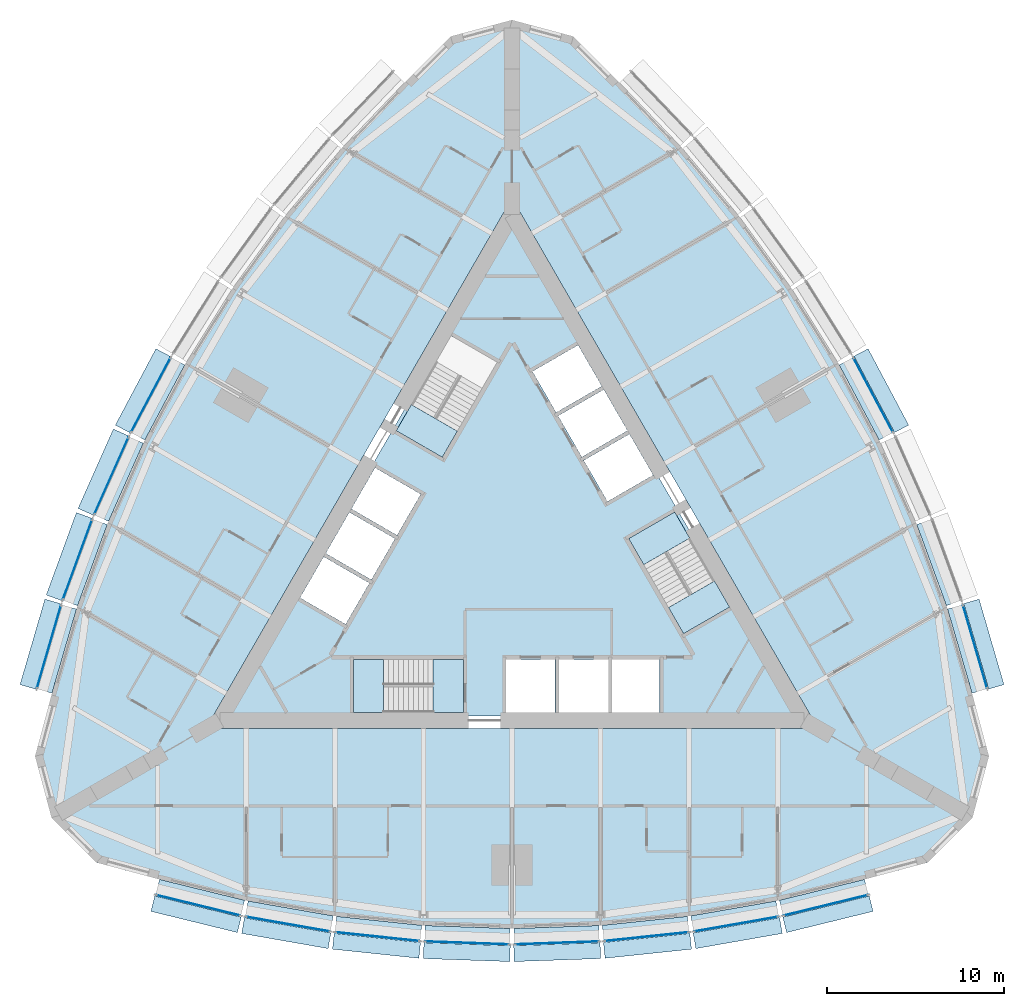
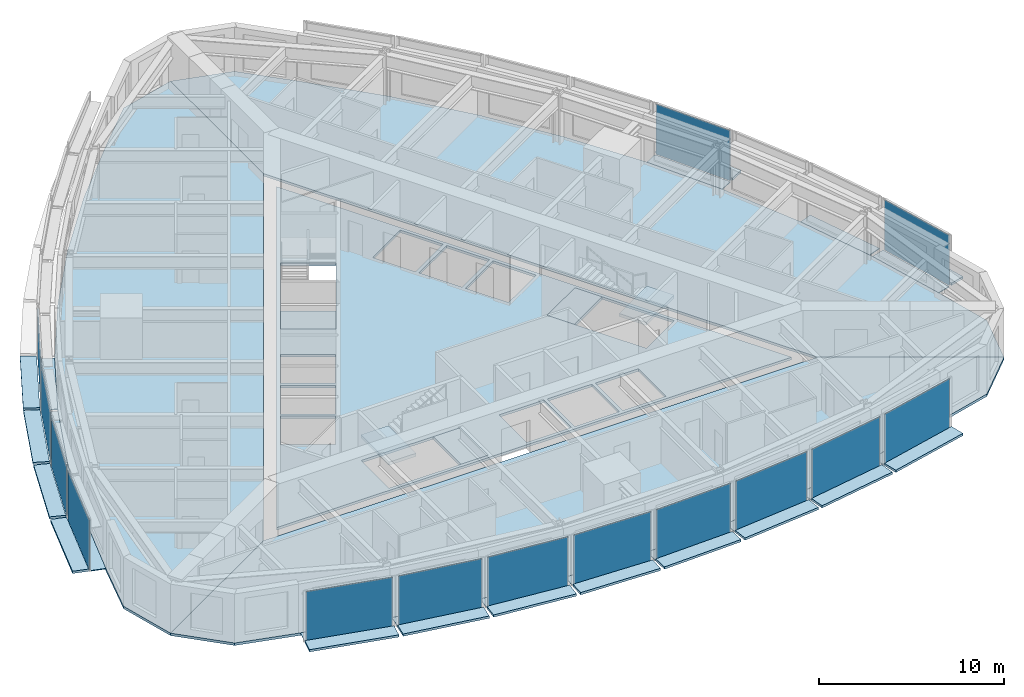
# One storey, part 6 of 14: 43 plates, 9 slabs, 17 elements without a shape of their own.
"""IFC4 building model written with IfcOpenShell, lengths in metres."""

from ifc_helpers import new_model, si_unit, direction, frame, origin, origin_2d, place, context, subcontext, project, spatial, polyline, rectangle, outline, extrude, material, layer, layer_set, type_object, element, aggregate, save


model = new_model("IFC4")

# Units and contexts
model_context = context("Model", 3, precision=1e-05, world=origin(), true_north=direction((0.0, 1.0)))
body_context = subcontext(model_context, "Body", "Model", "MODEL_VIEW")
ifc_project = project(units=[si_unit("LENGTHUNIT", "METRE"), si_unit("AREAUNIT", "SQUARE_METRE"), si_unit("VOLUMEUNIT", "CUBIC_METRE"), si_unit("PLANEANGLEUNIT", "RADIAN"), si_unit("MASSUNIT", "GRAM", prefix="KILO")], contexts=[model_context])

# Site, building, storey
site_placement = place(None, origin())
site = spatial("IfcSite", under=ifc_project, at=site_placement, CompositionType="ELEMENT")
building_placement = place(site_placement, origin())
building = spatial("IfcBuilding", under=site, at=building_placement, Name="Trikona Tower", CompositionType="ELEMENT")
storey_placement = place(building_placement, frame((0.0, 0.0, 162.300048828125)))
storey = spatial("IfcBuildingStorey", under=building, at=storey_placement, Name="L43", CompositionType="ELEMENT", Elevation=162.300048828125)

# Plates
ifc_material_1 = material(Name="Aluminium bar grating", Category="aluminium")
ifc_layer_1 = layer(ifc_material_1, 0.050048828125)
ifc_layer_set_1 = layer_set([ifc_layer_1], Name="Cavity catwalk grating")
plate_type_1 = type_object("IfcPlateType", Name="Cavity catwalk grating", PredefinedType="USERDEFINED", material=ifc_layer_set_1)
plate_1_placement = place(storey_placement, frame((-17.598876953125, -19.49072265625, -0.05029296875), z_axis=(0.0, 0.0, 1.0), x_axis=(0.971274411564, -0.237962218516, 0.0)))
element("IfcPlate", 1, at=plate_1_placement, inside=storey, type_object=plate_type_1, Name="Cavity catwalk L43-00", ObjectType="CATWALK GRATING", PredefinedType="USERDEFINED", context=body_context, shape_type="SweptSolid", body=[
    extrude(rectangle(XDim=4.947998046875, YDim=0.830078125, at=origin_2d()), origin(), (0.0, 0.0, 1.0), 0.050048828125),
])
plate_2_placement = place(storey_placement, frame((-12.571533203125, -20.54638671875, -0.05029296875), z_axis=(0.0, 0.0, 1.0), x_axis=(0.985030604067, -0.172379549401, 0.0)))
element("IfcPlate", 2, at=plate_2_placement, inside=storey, type_object=plate_type_1, Name="Cavity catwalk L43-01", ObjectType="CATWALK GRATING", PredefinedType="USERDEFINED", context=body_context, shape_type="SweptSolid", body=[
    extrude(rectangle(XDim=4.8759765625, YDim=0.830078125, at=origin_2d()), origin(), (0.0, 0.0, 1.0), 0.050048828125),
])
plate_3_placement = place(storey_placement, frame((-7.543212890625, -21.25048828125, -0.05029296875), z_axis=(0.0, 0.0, 1.0), x_axis=(0.994532653854, -0.104426052392, 0.0)))
element("IfcPlate", 3, at=plate_3_placement, inside=storey, type_object=plate_type_1, Name="Cavity catwalk L43-02", ObjectType="CATWALK GRATING", PredefinedType="USERDEFINED", context=body_context, shape_type="SweptSolid", body=[
    extrude(rectangle(XDim=4.827392578125, YDim=0.830078125, at=origin_2d()), origin(), (0.0, 0.0, 1.0), 0.050048828125),
])
for number, where, z_axis, x_axis, name in (
    (4, (-2.514404296875, -21.602294921875, -0.05029296875), (0.0, 0.0, 1.0), (0.999388082937, -0.034977988567, 0.0), "Cavity catwalk L43-03"),
    (5, (2.514404296875, -21.602294921875, -0.05029296875), (0.0, 0.0, 1.0), (0.999388082937, 0.034977988567, 0.0), "Cavity catwalk L43-04"),
):
    element("IfcPlate", number, at=place(storey_placement, frame(where, z_axis=z_axis, x_axis=x_axis)), inside=storey, type_object=plate_type_1, Name=name, ObjectType="CATWALK GRATING", PredefinedType="USERDEFINED", context=body_context, shape_type="SweptSolid", body=[
        extrude(rectangle(XDim=4.802978515625, YDim=0.830078125, at=origin_2d()), origin(), (0.0, 0.0, 1.0), 0.050048828125),
    ])
plate_4_placement = place(storey_placement, frame((7.543212890625, -21.25048828125, -0.05029296875), z_axis=(0.0, 0.0, 1.0), x_axis=(0.994532653854, 0.104426052392, 0.0)))
element("IfcPlate", 6, at=plate_4_placement, inside=storey, type_object=plate_type_1, Name="Cavity catwalk L43-05", ObjectType="CATWALK GRATING", PredefinedType="USERDEFINED", context=body_context, shape_type="SweptSolid", body=[
    extrude(rectangle(XDim=4.827392578125, YDim=0.830078125, at=origin_2d()), origin(), (0.0, 0.0, 1.0), 0.050048828125),
])
plate_5_placement = place(storey_placement, frame((12.571533203125, -20.54638671875, -0.05029296875), z_axis=(0.0, 0.0, 1.0), x_axis=(0.985030604067, 0.172379549401, 0.0)))
element("IfcPlate", 7, at=plate_5_placement, inside=storey, type_object=plate_type_1, Name="Cavity catwalk L43-06", ObjectType="CATWALK GRATING", PredefinedType="USERDEFINED", context=body_context, shape_type="SweptSolid", body=[
    extrude(rectangle(XDim=4.8759765625, YDim=0.830078125, at=origin_2d()), origin(), (0.0, 0.0, 1.0), 0.050048828125),
])
plate_6_placement = place(storey_placement, frame((17.598876953125, -19.49072265625, -0.05029296875), z_axis=(0.0, 0.0, 1.0), x_axis=(0.971274411564, 0.237962218516, 0.0)))
element("IfcPlate", 8, at=plate_6_placement, inside=storey, type_object=plate_type_1, Name="Cavity catwalk L43-07", ObjectType="CATWALK GRATING", PredefinedType="USERDEFINED", context=body_context, shape_type="SweptSolid", body=[
    extrude(rectangle(XDim=4.947998046875, YDim=0.830078125, at=origin_2d()), origin(), (0.0, 0.0, 1.0), 0.050048828125),
])
plate_7_placement = place(storey_placement, frame((25.678955078125, -5.49560546875, -0.05029296875), z_axis=(0.0, 0.0, 1.0), x_axis=(-0.279554203664, 0.960129911634, 0.0)))
element("IfcPlate", 9, at=plate_7_placement, inside=storey, type_object=plate_type_1, Name="Cavity catwalk L43-12", ObjectType="CATWALK GRATING", PredefinedType="USERDEFINED", context=body_context, shape_type="SweptSolid", body=[
    extrude(rectangle(XDim=4.94775390625, YDim=0.830078125, at=origin_2d()), origin(), (0.0, 0.0, 1.0), 0.050048828125),
])
plate_8_placement = place(storey_placement, frame((24.07958984375, -0.614013671875, -0.05029296875), z_axis=(0.0, 0.0, 1.0), x_axis=(-0.343220397324, 0.939254895575, 0.0)))
element("IfcPlate", 10, at=plate_8_placement, inside=storey, type_object=plate_type_1, Name="Cavity catwalk L43-13", ObjectType="CATWALK GRATING", PredefinedType="USERDEFINED", context=body_context, shape_type="SweptSolid", body=[
    extrude(rectangle(XDim=4.8759765625, YDim=0.830078125, at=origin_2d()), origin(), (0.0, 0.0, 1.0), 0.050048828125),
])
for number, where, z_axis, x_axis, name in (
    (11, (19.965576171875, 8.62353515625, -0.05029296875), (0.0, 0.0, 1.0), (-0.469397591494, 0.882986920118, 0.0), "Cavity catwalk L43-15"),
    (12, (-19.965576171875, 8.62353515625, -0.05029296875), (0.0, 0.0, 1.0), (-0.469397591494, -0.882986920118, 0.0), "Cavity catwalk L43-28"),
):
    element("IfcPlate", number, at=place(storey_placement, frame(where, z_axis=z_axis, x_axis=x_axis)), inside=storey, type_object=plate_type_1, Name=name, ObjectType="CATWALK GRATING", PredefinedType="USERDEFINED", context=body_context, shape_type="SweptSolid", body=[
        extrude(rectangle(XDim=4.802978515625, YDim=0.830078125, at=origin_2d()), origin(), (0.0, 0.0, 1.0), 0.050048828125),
    ])
plate_9_placement = place(storey_placement, frame((-22.175048828125, 4.092529296875, -0.05029296875), z_axis=(0.0, 0.0, 1.0), x_axis=(-0.406843467615, -0.913497888809, 0.0)))
element("IfcPlate", 13, at=plate_9_placement, inside=storey, type_object=plate_type_1, Name="Cavity catwalk L43-29", ObjectType="CATWALK GRATING", PredefinedType="USERDEFINED", context=body_context, shape_type="SweptSolid", body=[
    extrude(rectangle(XDim=4.827392578125, YDim=0.830078125, at=origin_2d()), origin(), (0.0, 0.0, 1.0), 0.050048828125),
])
plate_10_placement = place(storey_placement, frame((-24.07958984375, -0.614013671875, -0.05029296875), z_axis=(0.0, 0.0, 1.0), x_axis=(-0.343220397324, -0.939254895575, 0.0)))
element("IfcPlate", 14, at=plate_10_placement, inside=storey, type_object=plate_type_1, Name="Cavity catwalk L43-30", ObjectType="CATWALK GRATING", PredefinedType="USERDEFINED", context=body_context, shape_type="SweptSolid", body=[
    extrude(rectangle(XDim=4.8759765625, YDim=0.830078125, at=origin_2d()), origin(), (0.0, 0.0, 1.0), 0.050048828125),
])
plate_11_placement = place(storey_placement, frame((-25.678955078125, -5.49560546875, -0.05029296875), z_axis=(0.0, 0.0, 1.0), x_axis=(-0.279554203664, -0.960129911634, 0.0)))
element("IfcPlate", 15, at=plate_11_placement, inside=storey, type_object=plate_type_1, Name="Cavity catwalk L43-31", ObjectType="CATWALK GRATING", PredefinedType="USERDEFINED", context=body_context, shape_type="SweptSolid", body=[
    extrude(rectangle(XDim=4.94775390625, YDim=0.830078125, at=origin_2d()), origin(), (0.0, 0.0, 1.0), 0.050048828125),
])

# Slabs
ifc_material_2 = material(Name="Concrete f'c 5000 psi lightweight on composite steel deck", Category="concrete")
ifc_layer_2 = layer(ifc_material_2, 0.1650390625)
ifc_layer_set_2 = layer_set([ifc_layer_2], Name="Composite floor slab 165")
slab_type_1 = type_object("IfcSlabType", Name="Composite floor slab 165", PredefinedType="FLOOR", material=ifc_layer_set_2)
slab_1_placement = place(storey_placement, frame((0.0, 0.0, -0.1650390625)))
element("IfcSlab", 16, at=slab_1_placement, inside=storey, type_object=slab_type_1, Name="Floor slab L43 core", PredefinedType="FLOOR", context=body_context, shape_type="SweptSolid", body=[
    extrude(outline(polyline([(-16.06689453125, -9.2763671875), (16.06689453125, -9.2763671875), (0.0, 18.552490234375), (-16.06689453125, -9.2763671875)]), holes=[polyline([(12.285400390625, -3.126220703125), (9.185302734375, 2.2431640625), (6.587158203125, 0.7431640625), (9.687255859375, -4.626220703125), (12.285400390625, -3.126220703125)]), polyline([(8.340087890625, -9.06640625), (8.340087890625, -6.086181640625), (5.659912109375, -6.086181640625), (5.659912109375, -9.06640625), (8.340087890625, -9.06640625)]), polyline([(5.390869140625, 2.835205078125), (7.9716796875, 4.3251953125), (6.631591796875, 6.646240234375), (4.05078125, 5.15625), (5.390869140625, 2.835205078125)]), polyline([(2.600830078125, 7.667724609375), (3.94091796875, 5.3466796875), (6.521484375, 6.8369140625), (5.181640625, 9.15771484375), (2.600830078125, 7.667724609375)]), polyline([(5.43994140625, -6.086181640625), (2.659912109375, -6.086181640625), (2.659912109375, -9.06640625), (5.43994140625, -9.06640625), (5.43994140625, -6.086181640625)]), polyline([(3.731689453125, 11.669189453125), (1.15087890625, 10.17919921875), (2.490966796875, 7.858154296875), (5.071533203125, 9.34814453125), (3.731689453125, 11.669189453125)]), polyline([(-0.340087890625, -6.086181640625), (-0.340087890625, -9.06640625), (2.43994140625, -9.06640625), (2.43994140625, -6.086181640625), (-0.340087890625, -6.086181640625)]), polyline([(-3.435302734375, 12.202392578125), (-6.535400390625, 6.8330078125), (-3.937255859375, 5.3330078125), (-0.837158203125, 10.702392578125), (-3.435302734375, 12.202392578125)]), polyline([(-8.949951171875, -9.076416015625), (-2.75, -9.076416015625), (-2.75, -6.076416015625), (-8.949951171875, -6.076416015625), (-8.949951171875, -9.076416015625)]), polyline([(-5.15087890625, 3.2509765625), (-7.731689453125, 4.740966796875), (-9.071533203125, 2.419921875), (-6.490966796875, 0.929931640625), (-5.15087890625, 3.2509765625)]), polyline([(-7.94091796875, -1.581298828125), (-6.600830078125, 0.739501953125), (-9.181640625, 2.2294921875), (-10.521484375, -0.09130859375), (-7.94091796875, -1.581298828125)]), polyline([(-11.9716796875, -2.602783203125), (-9.390869140625, -4.093017578125), (-8.05078125, -1.77197265625), (-10.631591796875, -0.281982421875), (-11.9716796875, -2.602783203125)])]), origin(), (0.0, 0.0, 1.0), 0.1650390625),
])
slab_2_placement = place(storey_placement, frame((0.0, 0.0, -0.1650390625)))
element("IfcSlab", 17, at=slab_2_placement, inside=storey, type_object=slab_type_1, Name="Floor slab L43 south", PredefinedType="FLOOR", context=body_context, shape_type="SweptSolid", body=[
    extrude(outline(polyline([(23.464111328125, -17.547119140625), (26.0, -15.010986328125), (17.279296875, -9.976318359375), (-17.279296875, -9.976318359375), (-26.0, -15.010986328125), (-23.464111328125, -17.547119140625), (-20.0, -18.47509765625), (-15.0, -19.7001953125), (-10.0, -20.5751953125), (-5.0, -21.10009765625), (0.0, -21.275146484375), (5.0, -21.10009765625), (10.0, -20.5751953125), (15.0, -19.7001953125), (20.0, -18.47509765625), (23.464111328125, -17.547119140625)])), origin(), (0.0, 0.0, 1.0), 0.1650390625),
])
slab_3_placement = place(storey_placement, frame((0.0, 0.0, -0.1650390625)))
element("IfcSlab", 18, at=slab_3_placement, inside=storey, type_object=slab_type_1, Name="Floor slab L43 north-east", PredefinedType="FLOOR", context=body_context, shape_type="SweptSolid", body=[
    extrude(outline(polyline([(3.464111328125, 29.093994140625), (0.0, 30.022216796875), (0.0, 19.95263671875), (17.279296875, -9.976318359375), (26.0, -15.010986328125), (26.92822265625, -11.547119140625), (26.0, -8.0830078125), (24.560791015625, -3.140380859375), (22.818603515625, 1.62744140625), (20.773193359375, 6.219970703125), (18.4248046875, 10.6376953125), (15.773193359375, 14.880126953125), (12.818603515625, 18.947998046875), (9.560791015625, 22.840576171875), (6.0, 26.55810546875), (3.464111328125, 29.093994140625)])), origin(), (0.0, 0.0, 1.0), 0.1650390625),
])
slab_4_placement = place(storey_placement, frame((0.0, 0.0, -0.1650390625)))
element("IfcSlab", 19, at=slab_4_placement, inside=storey, type_object=slab_type_1, Name="Floor slab L43 north-west", PredefinedType="FLOOR", context=body_context, shape_type="SweptSolid", body=[
    extrude(outline(polyline([(0.0, 19.95263671875), (0.0, 30.022216796875), (-3.464111328125, 29.093994140625), (-6.0, 26.55810546875), (-9.560791015625, 22.840576171875), (-12.818603515625, 18.947998046875), (-15.773193359375, 14.880126953125), (-18.4248046875, 10.6376953125), (-20.773193359375, 6.219970703125), (-22.818603515625, 1.62744140625), (-24.560791015625, -3.140380859375), (-26.0, -8.0830078125), (-26.92822265625, -11.547119140625), (-26.0, -15.010986328125), (-17.279296875, -9.976318359375), (0.0, 19.95263671875)])), origin(), (0.0, 0.0, 1.0), 0.1650390625),
])

# Curtain wall, plate
ifc_material_3 = material(Name="Aluminium curtain wall system", Category="aluminium")
curtain_wall_type = type_object("IfcCurtainWallType", Name="Curtain wall DS2", PredefinedType="NOTDEFINED", material=ifc_material_3)
curtain_wall_1_placement = place(storey_placement, origin())
curtain_wall_1 = element("IfcCurtainWall", 20, at=curtain_wall_1_placement, inside=storey, type_object=curtain_wall_type, Name="Curtain wall DS2 L43", PredefinedType="NOTDEFINED")
ifc_material_4 = material(Name="Laminated clear glass", Category="glass")
ifc_layer_3 = layer(ifc_material_4, 0.028076171875)
ifc_layer_set_3 = layer_set([ifc_layer_3], Name="Glass panel DS2")
plate_type_2 = type_object("IfcPlateType", Name="Glass panel DS2", PredefinedType="CURTAIN_PANEL", material=ifc_layer_set_3)
plate_12_placement = place(storey_placement, frame((-17.714111328125, -19.9619140625, 0.0), z_axis=(0.0, 0.0, 1.0), x_axis=(0.971272455026, -0.237970204243, 0.0)))
plate_12 = element("IfcPlate", 21, at=plate_12_placement, type_object=plate_type_2, Name="CW-DS2 panel 1.1", PredefinedType="CURTAIN_PANEL", context=body_context, shape_type="SweptSolid", body=[
    extrude(rectangle(XDim=4.867919921875, YDim=0.028076171875, at=origin_2d()), origin(), (0.0, 0.0, 1.0), 3.320068359375),
])
aggregate(curtain_wall_1, [plate_12])

curtain_wall_2_placement = place(storey_placement, origin())
curtain_wall_2 = element("IfcCurtainWall", 22, at=curtain_wall_2_placement, inside=storey, type_object=curtain_wall_type, Name="Curtain wall DS2 L43", PredefinedType="NOTDEFINED")
plate_13_placement = place(storey_placement, frame((-12.655029296875, -21.024169921875, 0.0), z_axis=(0.0, 0.0, 1.0), x_axis=(0.985030981074, -0.17237739505, 0.0)))
plate_13 = element("IfcPlate", 23, at=plate_13_placement, type_object=plate_type_2, Name="CW-DS2 panel 1.1", PredefinedType="CURTAIN_PANEL", context=body_context, shape_type="SweptSolid", body=[
    extrude(rectangle(XDim=4.7958984375, YDim=0.028076171875, at=origin_2d()), origin(), (0.0, 0.0, 1.0), 3.320068359375),
])
aggregate(curtain_wall_2, [plate_13])

curtain_wall_3_placement = place(storey_placement, origin())
curtain_wall_3 = element("IfcCurtainWall", 24, at=curtain_wall_3_placement, inside=storey, type_object=curtain_wall_type, Name="Curtain wall DS2 L43", PredefinedType="NOTDEFINED")
plate_14_placement = place(storey_placement, frame((-7.593994140625, -21.732666015625, 0.0), z_axis=(0.0, 0.0, 1.0), x_axis=(0.994531883654, -0.104433387357, 0.0)))
plate_14 = element("IfcPlate", 25, at=plate_14_placement, type_object=plate_type_2, Name="CW-DS2 panel 1.1", PredefinedType="CURTAIN_PANEL", context=body_context, shape_type="SweptSolid", body=[
    extrude(rectangle(XDim=4.747314453125, YDim=0.028076171875, at=origin_2d()), origin(), (0.0, 0.0, 1.0), 3.320068359375),
])
aggregate(curtain_wall_3, [plate_14])

curtain_wall_4_placement = place(storey_placement, origin())
curtain_wall_4 = element("IfcCurtainWall", 26, at=curtain_wall_4_placement, inside=storey, type_object=curtain_wall_type, Name="Curtain wall DS2 L43", PredefinedType="NOTDEFINED")
plate_15_placement = place(storey_placement, frame((-2.531494140625, -22.087158203125, 0.0), z_axis=(0.0, 0.0, 1.0), x_axis=(0.99938737114, -0.034998320052, 0.0)))
plate_15 = element("IfcPlate", 27, at=plate_15_placement, type_object=plate_type_2, Name="CW-DS2 panel 1.1", PredefinedType="CURTAIN_PANEL", context=body_context, shape_type="SweptSolid", body=[
    extrude(rectangle(XDim=4.72314453125, YDim=0.028076171875, at=origin_2d()), origin(), (0.0, 0.0, 1.0), 3.320068359375),
])
aggregate(curtain_wall_4, [plate_15])

curtain_wall_5_placement = place(storey_placement, origin())
curtain_wall_5 = element("IfcCurtainWall", 28, at=curtain_wall_5_placement, inside=storey, type_object=curtain_wall_type, Name="Curtain wall DS2 L43", PredefinedType="NOTDEFINED")
plate_16_placement = place(storey_placement, frame((2.531494140625, -22.087158203125, 0.0), z_axis=(0.0, 0.0, 1.0), x_axis=(0.99938737114, 0.034998320052, 0.0)))
plate_16 = element("IfcPlate", 29, at=plate_16_placement, type_object=plate_type_2, Name="CW-DS2 panel 1.1", PredefinedType="CURTAIN_PANEL", context=body_context, shape_type="SweptSolid", body=[
    extrude(rectangle(XDim=4.72314453125, YDim=0.028076171875, at=origin_2d()), origin(), (0.0, 0.0, 1.0), 3.320068359375),
])
aggregate(curtain_wall_5, [plate_16])

curtain_wall_6_placement = place(storey_placement, origin())
curtain_wall_6 = element("IfcCurtainWall", 30, at=curtain_wall_6_placement, inside=storey, type_object=curtain_wall_type, Name="Curtain wall DS2 L43", PredefinedType="NOTDEFINED")
plate_17_placement = place(storey_placement, frame((7.593994140625, -21.732666015625, 0.0), z_axis=(0.0, 0.0, 1.0), x_axis=(0.994531883654, 0.104433387357, 0.0)))
plate_17 = element("IfcPlate", 31, at=plate_17_placement, type_object=plate_type_2, Name="CW-DS2 panel 1.1", PredefinedType="CURTAIN_PANEL", context=body_context, shape_type="SweptSolid", body=[
    extrude(rectangle(XDim=4.747314453125, YDim=0.028076171875, at=origin_2d()), origin(), (0.0, 0.0, 1.0), 3.320068359375),
])
aggregate(curtain_wall_6, [plate_17])

curtain_wall_7_placement = place(storey_placement, origin())
curtain_wall_7 = element("IfcCurtainWall", 32, at=curtain_wall_7_placement, inside=storey, type_object=curtain_wall_type, Name="Curtain wall DS2 L43", PredefinedType="NOTDEFINED")
plate_18_placement = place(storey_placement, frame((12.655029296875, -21.024169921875, 0.0), z_axis=(0.0, 0.0, 1.0), x_axis=(0.985030981074, 0.17237739505, 0.0)))
plate_18 = element("IfcPlate", 33, at=plate_18_placement, type_object=plate_type_2, Name="CW-DS2 panel 1.1", PredefinedType="CURTAIN_PANEL", context=body_context, shape_type="SweptSolid", body=[
    extrude(rectangle(XDim=4.7958984375, YDim=0.028076171875, at=origin_2d()), origin(), (0.0, 0.0, 1.0), 3.320068359375),
])
aggregate(curtain_wall_7, [plate_18])

curtain_wall_8_placement = place(storey_placement, origin())
curtain_wall_8 = element("IfcCurtainWall", 34, at=curtain_wall_8_placement, inside=storey, type_object=curtain_wall_type, Name="Curtain wall DS2 L43", PredefinedType="NOTDEFINED")
plate_19_placement = place(storey_placement, frame((17.714111328125, -19.9619140625, 0.0), z_axis=(0.0, 0.0, 1.0), x_axis=(0.971272455026, 0.237970204243, 0.0)))
plate_19 = element("IfcPlate", 35, at=plate_19_placement, type_object=plate_type_2, Name="CW-DS2 panel 1.1", PredefinedType="CURTAIN_PANEL", context=body_context, shape_type="SweptSolid", body=[
    extrude(rectangle(XDim=4.867919921875, YDim=0.028076171875, at=origin_2d()), origin(), (0.0, 0.0, 1.0), 3.320068359375),
])
aggregate(curtain_wall_8, [plate_19])

curtain_wall_9_placement = place(storey_placement, origin())
curtain_wall_9 = element("IfcCurtainWall", 36, at=curtain_wall_9_placement, inside=storey, type_object=curtain_wall_type, Name="Curtain wall DS2 L43", PredefinedType="NOTDEFINED")
plate_20_placement = place(storey_placement, frame((26.14453125, -5.360107421875, 0.0), z_axis=(0.0, 0.0, 1.0), x_axis=(-0.279543247757, 0.96013310152, 0.0)))
plate_20 = element("IfcPlate", 37, at=plate_20_placement, type_object=plate_type_2, Name="CW-DS2 panel 1.1", PredefinedType="CURTAIN_PANEL", context=body_context, shape_type="SweptSolid", body=[
    extrude(rectangle(XDim=4.867919921875, YDim=0.028076171875, at=origin_2d()), origin(), (0.0, 0.0, 1.0), 3.320068359375),
])
aggregate(curtain_wall_9, [plate_20])

curtain_wall_10_placement = place(storey_placement, origin())
curtain_wall_10 = element("IfcCurtainWall", 38, at=curtain_wall_10_placement, inside=storey, type_object=curtain_wall_type, Name="Curtain wall DS2 L43", PredefinedType="NOTDEFINED")
plate_21_placement = place(storey_placement, frame((20.393798828125, 8.851318359375, 0.0), z_axis=(0.0, 0.0, 1.0), x_axis=(-0.469380308937, 0.882996107343, 0.0)))
plate_21 = element("IfcPlate", 39, at=plate_21_placement, type_object=plate_type_2, Name="CW-DS2 panel 1.1", PredefinedType="CURTAIN_PANEL", context=body_context, shape_type="SweptSolid", body=[
    extrude(rectangle(XDim=4.72314453125, YDim=0.028076171875, at=origin_2d()), origin(), (0.0, 0.0, 1.0), 3.320068359375),
])
aggregate(curtain_wall_10, [plate_21])

curtain_wall_11_placement = place(storey_placement, origin())
curtain_wall_11 = element("IfcCurtainWall", 40, at=curtain_wall_11_placement, inside=storey, type_object=curtain_wall_type, Name="Curtain wall DS2 L43", PredefinedType="NOTDEFINED")
plate_22_placement = place(storey_placement, frame((-20.393798828125, 8.851318359375, 0.0), z_axis=(0.0, 0.0, 1.0), x_axis=(-0.469380308937, -0.882996107343, 0.0)))
plate_22 = element("IfcPlate", 41, at=plate_22_placement, type_object=plate_type_2, Name="CW-DS2 panel 1.1", PredefinedType="CURTAIN_PANEL", context=body_context, shape_type="SweptSolid", body=[
    extrude(rectangle(XDim=4.72314453125, YDim=0.028076171875, at=origin_2d()), origin(), (0.0, 0.0, 1.0), 3.320068359375),
])
aggregate(curtain_wall_11, [plate_22])

curtain_wall_12_placement = place(storey_placement, origin())
curtain_wall_12 = element("IfcCurtainWall", 42, at=curtain_wall_12_placement, inside=storey, type_object=curtain_wall_type, Name="Curtain wall DS2 L43", PredefinedType="NOTDEFINED")
plate_23_placement = place(storey_placement, frame((-22.6181640625, 4.289794921875, 0.0), z_axis=(0.0, 0.0, 1.0), x_axis=(-0.406836013132, -0.913501208767, 0.0)))
plate_23 = element("IfcPlate", 43, at=plate_23_placement, type_object=plate_type_2, Name="CW-DS2 panel 1.1", PredefinedType="CURTAIN_PANEL", context=body_context, shape_type="SweptSolid", body=[
    extrude(rectangle(XDim=4.747314453125, YDim=0.028076171875, at=origin_2d()), origin(), (0.0, 0.0, 1.0), 3.320068359375),
])
aggregate(curtain_wall_12, [plate_23])

curtain_wall_13_placement = place(storey_placement, origin())
curtain_wall_13 = element("IfcCurtainWall", 44, at=curtain_wall_13_placement, inside=storey, type_object=curtain_wall_type, Name="Curtain wall DS2 L43", PredefinedType="NOTDEFINED")
plate_24_placement = place(storey_placement, frame((-24.53515625, -0.447509765625, 0.0), z_axis=(0.0, 0.0, 1.0), x_axis=(-0.343223420143, -0.939253790978, 0.0)))
plate_24 = element("IfcPlate", 45, at=plate_24_placement, type_object=plate_type_2, Name="CW-DS2 panel 1.1", PredefinedType="CURTAIN_PANEL", context=body_context, shape_type="SweptSolid", body=[
    extrude(rectangle(XDim=4.7958984375, YDim=0.028076171875, at=origin_2d()), origin(), (0.0, 0.0, 1.0), 3.320068359375),
])
aggregate(curtain_wall_13, [plate_24])

curtain_wall_14_placement = place(storey_placement, origin())
curtain_wall_14 = element("IfcCurtainWall", 46, at=curtain_wall_14_placement, inside=storey, type_object=curtain_wall_type, Name="Curtain wall DS2 L43", PredefinedType="NOTDEFINED")
plate_25_placement = place(storey_placement, frame((-26.14453125, -5.360107421875, 0.0), z_axis=(0.0, 0.0, 1.0), x_axis=(-0.279543247757, -0.96013310152, 0.0)))
plate_25 = element("IfcPlate", 47, at=plate_25_placement, type_object=plate_type_2, Name="CW-DS2 panel 1.1", PredefinedType="CURTAIN_PANEL", context=body_context, shape_type="SweptSolid", body=[
    extrude(rectangle(XDim=4.867919921875, YDim=0.028076171875, at=origin_2d()), origin(), (0.0, 0.0, 1.0), 3.320068359375),
])
aggregate(curtain_wall_14, [plate_25])

# Plates
ifc_material_5 = material(Name="Aluminium plate fin, pale anodised, on stainless steel outriggers", Category="steel")
ifc_layer_4 = layer(ifc_material_5, 0.14990234375)
ifc_layer_set_4 = layer_set([ifc_layer_4], Name="Outer skin fin 900")
plate_type_3 = type_object("IfcPlateType", Name="Outer skin fin 900", PredefinedType="USERDEFINED", material=ifc_layer_set_4)
plate_26_placement = place(storey_placement, frame((-17.837890625, -20.466796875, 0.0), z_axis=(0.0, 0.0, 1.0), x_axis=(0.971274411564, -0.237962218516, 0.0)))
element("IfcPlate", 48, at=plate_26_placement, inside=storey, type_object=plate_type_3, Name="Outer skin fin L43-00", ObjectType="FIN", PredefinedType="USERDEFINED", context=body_context, shape_type="SweptSolid", body=[
    extrude(rectangle(XDim=5.02783203125, YDim=0.89990234375, at=origin_2d()), origin(), (0.0, 0.0, 1.0), 0.14990234375),
])
plate_27_placement = place(storey_placement, frame((-12.744873046875, -21.536376953125, 0.0), z_axis=(0.0, 0.0, 1.0), x_axis=(0.985030604067, -0.172379549401, 0.0)))
element("IfcPlate", 49, at=plate_27_placement, inside=storey, type_object=plate_type_3, Name="Outer skin fin L43-01", ObjectType="FIN", PredefinedType="USERDEFINED", context=body_context, shape_type="SweptSolid", body=[
    extrude(rectangle(XDim=4.9560546875, YDim=0.89990234375, at=origin_2d()), origin(), (0.0, 0.0, 1.0), 0.14990234375),
])
plate_28_placement = place(storey_placement, frame((-7.648193359375, -22.25, 0.0), z_axis=(0.0, 0.0, 1.0), x_axis=(0.994532653854, -0.104426052392, 0.0)))
element("IfcPlate", 50, at=plate_28_placement, inside=storey, type_object=plate_type_3, Name="Outer skin fin L43-02", ObjectType="FIN", PredefinedType="USERDEFINED", context=body_context, shape_type="SweptSolid", body=[
    extrude(rectangle(XDim=4.907470703125, YDim=0.89990234375, at=origin_2d()), origin(), (0.0, 0.0, 1.0), 0.14990234375),
])
for number, where, z_axis, x_axis, name in (
    (51, (-2.5498046875, -22.606689453125, 0.0), (0.0, 0.0, 1.0), (0.999388082937, -0.034977988567, 0.0), "Outer skin fin L43-03"),
    (52, (2.5498046875, -22.606689453125, 0.0), (0.0, 0.0, 1.0), (0.999388082937, 0.034977988567, 0.0), "Outer skin fin L43-04"),
):
    element("IfcPlate", number, at=place(storey_placement, frame(where, z_axis=z_axis, x_axis=x_axis)), inside=storey, type_object=plate_type_3, Name=name, ObjectType="FIN", PredefinedType="USERDEFINED", context=body_context, shape_type="SweptSolid", body=[
        extrude(rectangle(XDim=4.883056640625, YDim=0.89990234375, at=origin_2d()), origin(), (0.0, 0.0, 1.0), 0.14990234375),
    ])
plate_29_placement = place(storey_placement, frame((7.648193359375, -22.25, 0.0), z_axis=(0.0, 0.0, 1.0), x_axis=(0.994532653854, 0.104426052392, 0.0)))
element("IfcPlate", 53, at=plate_29_placement, inside=storey, type_object=plate_type_3, Name="Outer skin fin L43-05", ObjectType="FIN", PredefinedType="USERDEFINED", context=body_context, shape_type="SweptSolid", body=[
    extrude(rectangle(XDim=4.907470703125, YDim=0.89990234375, at=origin_2d()), origin(), (0.0, 0.0, 1.0), 0.14990234375),
])
plate_30_placement = place(storey_placement, frame((12.744873046875, -21.536376953125, 0.0), z_axis=(0.0, 0.0, 1.0), x_axis=(0.985030604067, 0.172379549401, 0.0)))
element("IfcPlate", 54, at=plate_30_placement, inside=storey, type_object=plate_type_3, Name="Outer skin fin L43-06", ObjectType="FIN", PredefinedType="USERDEFINED", context=body_context, shape_type="SweptSolid", body=[
    extrude(rectangle(XDim=4.9560546875, YDim=0.89990234375, at=origin_2d()), origin(), (0.0, 0.0, 1.0), 0.14990234375),
])
for number, where, z_axis, x_axis, name in (
    (55, (17.837890625, -20.466796875, 0.0), (0.0, 0.0, 1.0), (0.971274411564, 0.237962218516, 0.0), "Outer skin fin L43-07"),
    (56, (26.643798828125, -5.214599609375, 0.0), (0.0, 0.0, 1.0), (-0.279554203664, 0.960129911634, 0.0), "Outer skin fin L43-12"),
):
    element("IfcPlate", number, at=place(storey_placement, frame(where, z_axis=z_axis, x_axis=x_axis)), inside=storey, type_object=plate_type_3, Name=name, ObjectType="FIN", PredefinedType="USERDEFINED", context=body_context, shape_type="SweptSolid", body=[
        extrude(rectangle(XDim=5.02783203125, YDim=0.89990234375, at=origin_2d()), origin(), (0.0, 0.0, 1.0), 0.14990234375),
    ])
for number, where, z_axis, x_axis, name in (
    (57, (20.852783203125, 9.09521484375, 0.0), (0.0, 0.0, 1.0), (-0.469397591494, 0.882986920118, 0.0), "Outer skin fin L43-15"),
    (58, (-20.852783203125, 9.09521484375, 0.0), (0.0, 0.0, 1.0), (-0.469397591494, -0.882986920118, 0.0), "Outer skin fin L43-28"),
):
    element("IfcPlate", number, at=place(storey_placement, frame(where, z_axis=z_axis, x_axis=x_axis)), inside=storey, type_object=plate_type_3, Name=name, ObjectType="FIN", PredefinedType="USERDEFINED", context=body_context, shape_type="SweptSolid", body=[
        extrude(rectangle(XDim=4.883056640625, YDim=0.89990234375, at=origin_2d()), origin(), (0.0, 0.0, 1.0), 0.14990234375),
    ])
plate_31_placement = place(storey_placement, frame((-23.09326171875, 4.50146484375, 0.0), z_axis=(0.0, 0.0, 1.0), x_axis=(-0.406843467615, -0.913497888809, 0.0)))
element("IfcPlate", 59, at=plate_31_placement, inside=storey, type_object=plate_type_3, Name="Outer skin fin L43-29", ObjectType="FIN", PredefinedType="USERDEFINED", context=body_context, shape_type="SweptSolid", body=[
    extrude(rectangle(XDim=4.907470703125, YDim=0.89990234375, at=origin_2d()), origin(), (0.0, 0.0, 1.0), 0.14990234375),
])
plate_32_placement = place(storey_placement, frame((-25.0234375, -0.26904296875, 0.0), z_axis=(0.0, 0.0, 1.0), x_axis=(-0.343220397324, -0.939254895575, 0.0)))
element("IfcPlate", 60, at=plate_32_placement, inside=storey, type_object=plate_type_3, Name="Outer skin fin L43-30", ObjectType="FIN", PredefinedType="USERDEFINED", context=body_context, shape_type="SweptSolid", body=[
    extrude(rectangle(XDim=4.9560546875, YDim=0.89990234375, at=origin_2d()), origin(), (0.0, 0.0, 1.0), 0.14990234375),
])
plate_33_placement = place(storey_placement, frame((-26.643798828125, -5.214599609375, 0.0), z_axis=(0.0, 0.0, 1.0), x_axis=(-0.279554203664, -0.960129911634, 0.0)))
element("IfcPlate", 61, at=plate_33_placement, inside=storey, type_object=plate_type_3, Name="Outer skin fin L43-31", ObjectType="FIN", PredefinedType="USERDEFINED", context=body_context, shape_type="SweptSolid", body=[
    extrude(rectangle(XDim=5.02783203125, YDim=0.89990234375, at=origin_2d()), origin(), (0.0, 0.0, 1.0), 0.14990234375),
])

# Stair, slabs
ifc_material_6 = material(Name="Concrete f'c 5000 psi", Category="concrete")
stair_type = type_object("IfcStairType", Name="Core stair", PredefinedType="HALF_TURN_STAIR", material=ifc_material_6)
stair_1_placement = place(storey_placement, origin())
stair_1 = element("IfcStair", 62, at=stair_1_placement, inside=storey, type_object=stair_type, Name="Stair A L43", PredefinedType="HALF_TURN_STAIR")
ifc_material_7 = material(Name="Concrete f'c 5000 psi", Category="concrete")
ifc_layer_5 = layer(ifc_material_7, 0.199951171875)
ifc_layer_set_5 = layer_set([ifc_layer_5], Name="Stair landing 200")
slab_type_2 = type_object("IfcSlabType", Name="Stair landing 200", PredefinedType="LANDING", material=ifc_layer_set_5)
slab_5_placement = place(storey_placement, frame((0.0, 0.0, -0.199951171875)))
slab_5 = element("IfcSlab", 63, at=slab_5_placement, type_object=slab_type_2, Name="ST-A landing 1", PredefinedType="LANDING", context=body_context, shape_type="SweptSolid", body=[
    extrude(outline(polyline([(-4.452880859375, -6.076416015625), (-2.75, -6.076416015625), (-2.75, -9.076416015625), (-4.452880859375, -9.076416015625), (-4.452880859375, -6.076416015625)])), origin(), (0.0, 0.0, 1.0), 0.199951171875),
])
slab_6_placement = place(storey_placement, frame((0.0, 0.0, 1.5)))
slab_6 = element("IfcSlab", 64, at=slab_6_placement, type_object=slab_type_2, Name="ST-A landing 2", PredefinedType="LANDING", context=body_context, shape_type="SweptSolid", body=[
    extrude(outline(polyline([(-8.949951171875, -6.076416015625), (-7.2470703125, -6.076416015625), (-7.2470703125, -9.076416015625), (-8.949951171875, -9.076416015625), (-8.949951171875, -6.076416015625)])), origin(), (0.0, 0.0, 1.0), 0.199951171875),
])
aggregate(stair_1, [slab_5, slab_6])

stair_2_placement = place(storey_placement, origin())
stair_2 = element("IfcStair", 65, at=stair_2_placement, inside=storey, type_object=stair_type, Name="Stair B L43", PredefinedType="HALF_TURN_STAIR")
slab_7_placement = place(storey_placement, frame((0.0, 0.0, -0.199951171875)))
slab_7 = element("IfcSlab", 66, at=slab_7_placement, type_object=slab_type_2, Name="ST-B landing 1", PredefinedType="LANDING", context=body_context, shape_type="SweptSolid", body=[
    extrude(outline(polyline([(7.438720703125, -0.731689453125), (6.587158203125, 0.7431640625), (9.185302734375, 2.2431640625), (10.036865234375, 0.768310546875), (7.438720703125, -0.731689453125)])), origin(), (0.0, 0.0, 1.0), 0.199951171875),
])
slab_8_placement = place(storey_placement, frame((0.0, 0.0, 1.5)))
slab_8 = element("IfcSlab", 67, at=slab_8_placement, type_object=slab_type_2, Name="ST-B landing 2", PredefinedType="LANDING", context=body_context, shape_type="SweptSolid", body=[
    extrude(outline(polyline([(9.687255859375, -4.626220703125), (8.835693359375, -3.1513671875), (11.433837890625, -1.6513671875), (12.285400390625, -3.126220703125), (9.687255859375, -4.626220703125)])), origin(), (0.0, 0.0, 1.0), 0.199951171875),
])
aggregate(stair_2, [slab_7, slab_8])

# Stair, slab
stair_3_placement = place(storey_placement, origin())
stair_3 = element("IfcStair", 68, at=stair_3_placement, inside=storey, type_object=stair_type, Name="Stair C L43", PredefinedType="HALF_TURN_STAIR")
slab_9_placement = place(storey_placement, frame((0.0, 0.0, -0.199951171875)))
slab_9 = element("IfcSlab", 69, at=slab_9_placement, type_object=slab_type_2, Name="ST-C landing 1", PredefinedType="LANDING", context=body_context, shape_type="SweptSolid", body=[
    extrude(outline(polyline([(-3.085693359375, 6.807861328125), (-3.937255859375, 5.3330078125), (-6.535400390625, 6.8330078125), (-5.683837890625, 8.307861328125), (-3.085693359375, 6.807861328125)])), origin(), (0.0, 0.0, 1.0), 0.199951171875),
])
aggregate(stair_3, [slab_9])

save(model, "model.ifc")
